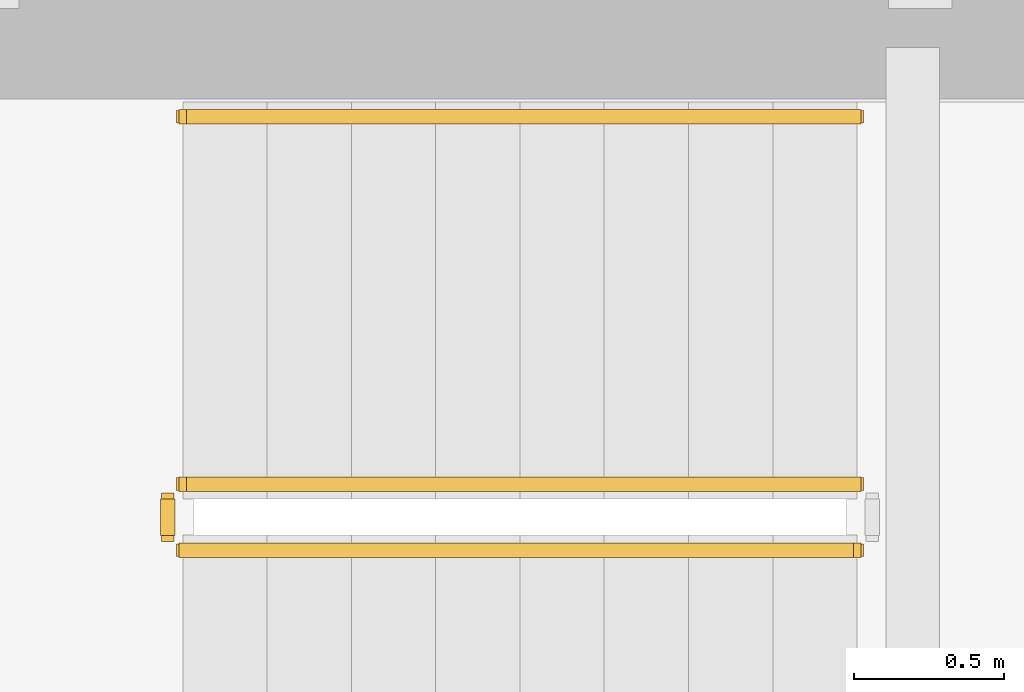
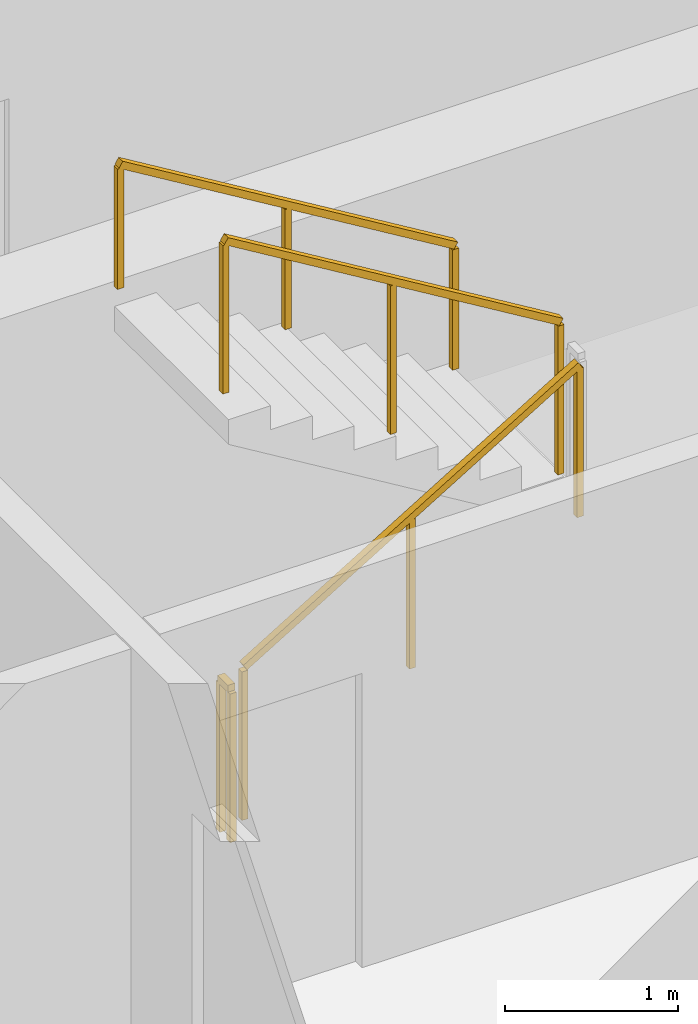
# One storey, part 9 of 11: 4 railings.
"""IFC4 building model written with IfcOpenShell, lengths in metres."""

from ifc_helpers import new_model, si_unit, direction, frame, origin, origin_2d, place, context, subcontext, project, spatial, rectangle, extrude, material, type_object, element, save


model = new_model("IFC4")

# Units and contexts
model_context = context("Model", 3, precision=1e-05, world=origin(), true_north=direction((0.0, 1.0)))
body_context = subcontext(model_context, "Body", "Model", "MODEL_VIEW")
ifc_project = project(units=[si_unit("LENGTHUNIT", "METRE"), si_unit("AREAUNIT", "SQUARE_METRE"), si_unit("VOLUMEUNIT", "CUBIC_METRE"), si_unit("PLANEANGLEUNIT", "RADIAN"), si_unit("MASSUNIT", "GRAM", prefix="KILO")], contexts=[model_context])

# Site, building, storey
site_placement = place(None, origin())
site = spatial("IfcSite", under=ifc_project, at=site_placement, CompositionType="ELEMENT")
building_placement = place(site_placement, origin())
building = spatial("IfcBuilding", under=site, at=building_placement, Name="Qhalaya Broadcast Tower", CompositionType="ELEMENT")
storey_placement = place(building_placement, frame((0.0, 0.0, 29.14990234375)))
storey = spatial("IfcBuildingStorey", under=building, at=storey_placement, Name="L07", CompositionType="ELEMENT", Elevation=29.14990234375)

# Railings
ifc_material = material(Name="Powder-Coated Galvanised Steel", Category="steel")
railing_type_1 = type_object("IfcRailingType", Name="Stair Wall Handrail 900", PredefinedType="HANDRAIL", material=ifc_material)
railing_1_placement = place(storey_placement, frame((5.989990234375, 9.590087890625, 1.694580078125)))
element("IfcRailing", 1, at=railing_1_placement, inside=storey, type_object=railing_type_1, Name="L07 ST-1 Stair Handrail 2", PredefinedType="HANDRAIL", context=body_context, shape_type="SweptSolid", body=[
    extrude(rectangle(XDim=0.048095703125, YDim=0.048095703125, at=origin_2d()), frame((0.0, 0.0, 0.8759765625), z_axis=(-0.855553338991, 0.0, 0.51771467445), x_axis=(0.0, -1.0, 0.0)), (0.0, 0.0, 1.0), 2.6181640625),
    extrude(rectangle(XDim=0.0419921875, YDim=0.0419921875, at=origin_2d()), origin(), (0.0, 0.0, 1.0), 0.849853515625),
    extrude(rectangle(XDim=0.0419921875, YDim=0.0419921875, at=origin_2d()), frame((-1.1201171875, 0.0, 0.677734375)), (0.0, 0.0, 1.0), 0.849853515625),
    extrude(rectangle(XDim=0.0419921875, YDim=0.0419921875, at=origin_2d()), frame((-2.239990234375, 0.0, 1.35546875)), (0.0, 0.0, 1.0), 0.849853515625),
])
railing_type_2 = type_object("IfcRailingType", Name="Stair Well & Landing Guardrail 1100", PredefinedType="GUARDRAIL", material=ifc_material)
railing_2_placement = place(storey_placement, frame((3.75, 8.14990234375, 0.16943359375)))
element("IfcRailing", 2, at=railing_2_placement, inside=storey, type_object=railing_type_2, Name="L07 ST-1 Stair Guard 1", PredefinedType="GUARDRAIL", context=body_context, shape_type="SweptSolid", body=[
    extrude(rectangle(XDim=0.048095703125, YDim=0.048095703125, at=origin_2d()), frame((0.0, 0.0, 1.076171875), z_axis=(0.855512035549, 0.0, 0.517782924622), x_axis=(0.0, 1.0, 0.0)), (0.0, 0.0, 1.0), 2.618408203125),
    extrude(rectangle(XDim=0.0419921875, YDim=0.0419921875, at=origin_2d()), origin(), (0.0, 0.0, 1.0), 1.050048828125),
    extrude(rectangle(XDim=0.0419921875, YDim=0.0419921875, at=origin_2d()), frame((1.1201171875, 0.0, 0.677734375)), (0.0, 0.0, 1.0), 1.050048828125),
    extrude(rectangle(XDim=0.0419921875, YDim=0.0419921875, at=origin_2d()), frame((2.239990234375, 0.0, 1.355712890625)), (0.0, 0.0, 1.0), 1.050048828125),
])
railing_3_placement = place(storey_placement, frame((5.989990234375, 8.3701171875, 1.694580078125)))
element("IfcRailing", 3, at=railing_3_placement, inside=storey, type_object=railing_type_2, Name="L07 ST-1 Stair Guard 3", PredefinedType="GUARDRAIL", context=body_context, shape_type="SweptSolid", body=[
    extrude(rectangle(XDim=0.048095703125, YDim=0.048095703125, at=origin_2d()), frame((0.0, 0.0, 1.076171875), z_axis=(-0.855553338991, 0.0, 0.51771467445), x_axis=(0.0, -1.0, 0.0)), (0.0, 0.0, 1.0), 2.6181640625),
    extrude(rectangle(XDim=0.0419921875, YDim=0.0419921875, at=origin_2d()), origin(), (0.0, 0.0, 1.0), 1.050048828125),
    extrude(rectangle(XDim=0.0419921875, YDim=0.0419921875, at=origin_2d()), frame((-1.1201171875, 0.0, 0.677734375)), (0.0, 0.0, 1.0), 1.050048828125),
    extrude(rectangle(XDim=0.0419921875, YDim=0.0419921875, at=origin_2d()), frame((-2.239990234375, 0.0, 1.35546875)), (0.0, 0.0, 1.0), 1.050048828125),
])
railing_4_placement = place(storey_placement, frame((3.699951171875, 8.199951171875, 0.0)))
element("IfcRailing", 4, at=railing_4_placement, inside=storey, type_object=railing_type_2, Name="L07 ST-1 Stair Guard 4", PredefinedType="GUARDRAIL", context=body_context, shape_type="SweptSolid", body=[
    extrude(rectangle(XDim=0.048095703125, YDim=0.048095703125, at=origin_2d()), frame((0.0, 0.0, 1.076171875), z_axis=(0.0, 1.0, 0.0), x_axis=(-1.0, 0.0, 0.0)), (0.0, 0.0, 1.0), 0.1201171875),
    extrude(rectangle(XDim=0.0419921875, YDim=0.0419921875, at=origin_2d()), origin(), (0.0, 0.0, 1.0), 1.050048828125),
    extrude(rectangle(XDim=0.0419921875, YDim=0.0419921875, at=origin_2d()), frame((0.0, 0.1201171875, 0.0)), (0.0, 0.0, 1.0), 1.050048828125),
])

save(model, "model.ifc")
